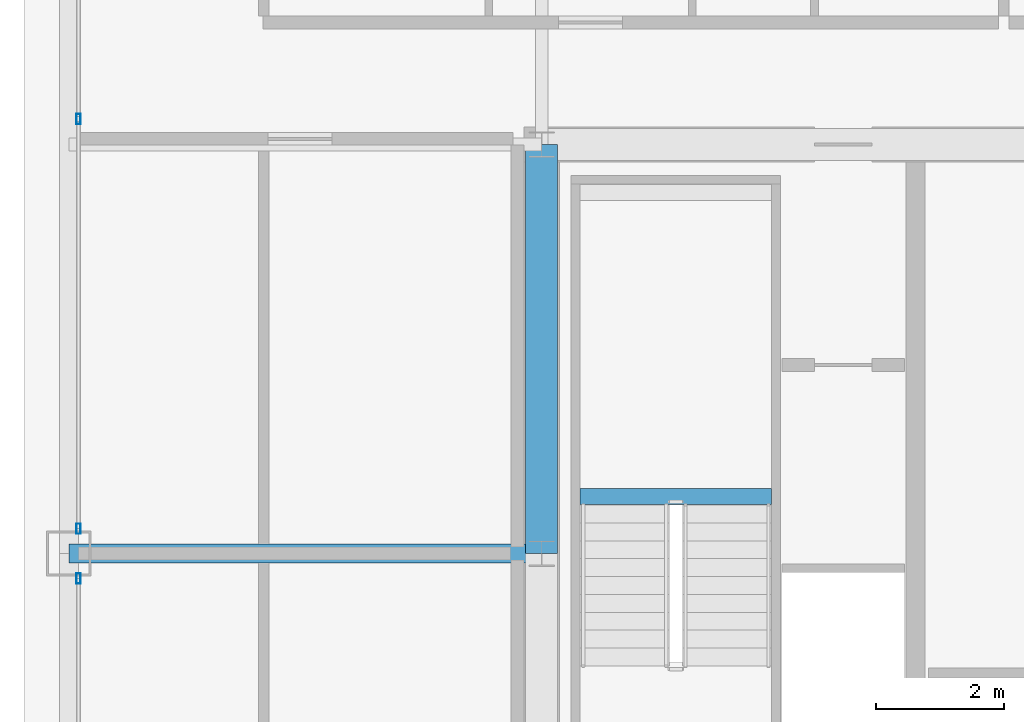
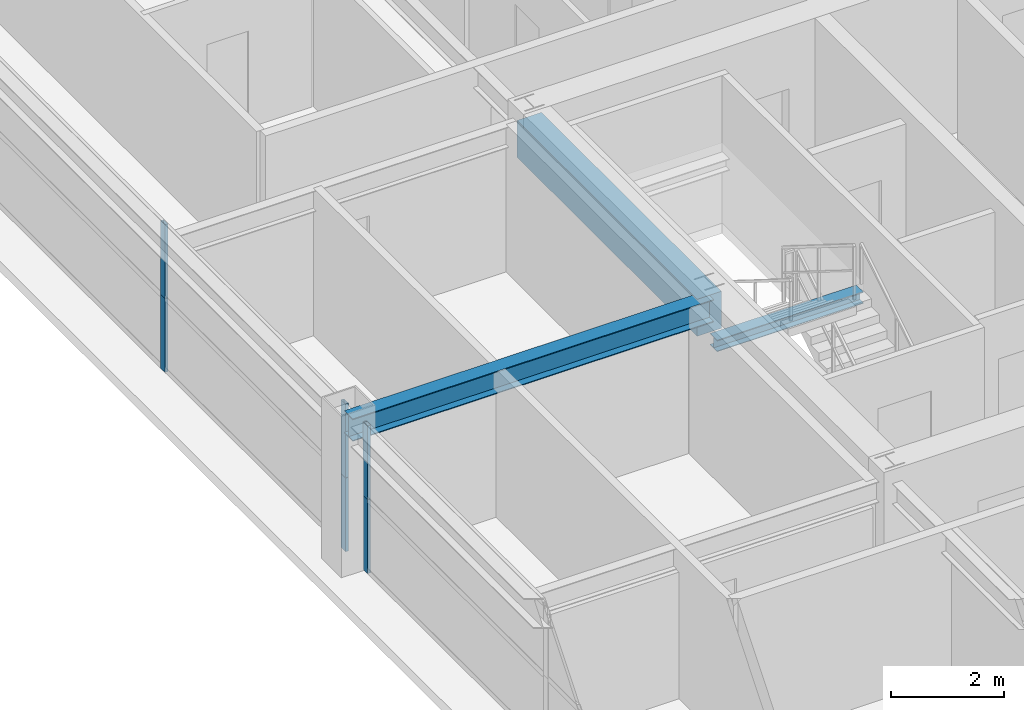
# One storey, part 12 of 36: 6 members, 3 beams, 2 elements without a shape of their own.
"""IFC4 building model written with IfcOpenShell, lengths in metres."""

from ifc_helpers import new_model, si_unit, direction, frame, origin, origin_2d, place, context, subcontext, project, spatial, rectangle, hollow_rectangle, i_section, extrude, source, transform, mapped, material, layer, layer_set, material_profile, profile_set, type_object, element, aggregate, save


model = new_model("IFC4")

# Units and contexts
model_context = context("Model", 3, precision=1e-05, world=origin(), true_north=direction((0.0, 1.0)))
body_context = subcontext(model_context, "Body", "Model", "MODEL_VIEW")
ifc_project = project(units=[si_unit("LENGTHUNIT", "METRE"), si_unit("AREAUNIT", "SQUARE_METRE"), si_unit("VOLUMEUNIT", "CUBIC_METRE"), si_unit("PLANEANGLEUNIT", "RADIAN"), si_unit("MASSUNIT", "GRAM", prefix="KILO"), si_unit("THERMODYNAMICTEMPERATUREUNIT", "KELVIN"), si_unit("POWERUNIT", "WATT")], contexts=[model_context])

# Site, building, storey
site_placement = place(None, origin())
site = spatial("IfcSite", under=ifc_project, at=site_placement, CompositionType="ELEMENT")
building_placement = place(site_placement, origin())
building = spatial("IfcBuilding", under=site, at=building_placement, Name="Yuzanri Waterfront Tower", CompositionType="ELEMENT")
storey_placement = place(building_placement, frame((0.0, 0.0, 255.60009765625)))
storey = spatial("IfcBuildingStorey", under=building, at=storey_placement, Name="L68", CompositionType="ELEMENT", Elevation=255.60009765625)

# Beams
ifc_material_1 = material(Name="Concrete C50", Category="concrete")
ifc_material_profile_1 = material_profile(ifc_material_1, rectangle(XDim=0.5, YDim=0.800048828125, at=origin_2d()), Name="RC 500x800")
ifc_profile_set_1 = profile_set([ifc_material_profile_1], Name="Concrete C50")
beam_type_1 = type_object("IfcBeamType", Name="Core Coupling Lintel Concrete C50 500x800", PredefinedType="LINTEL", material=ifc_profile_set_1)
shared_shape_1 = source(origin(), body_context, "Body", "SweptSolid", [
    extrude(rectangle(XDim=0.5, YDim=0.800048828125, at=origin_2d()), origin(), (0.0, 0.0, 1.0), 6.39990234375),
])
beam_1_placement = place(storey_placement, frame((23.800048828125, 25.800048828125, 2.7998046875), z_axis=(0.0, 1.0, 0.0), x_axis=(-1.0, 0.0, 0.0)))
element("IfcBeam", 1, at=beam_1_placement, inside=storey, type_object=beam_type_1, Name="L68 Core Tie Beam CW2", PredefinedType="LINTEL", context=body_context, shape_type="MappedRepresentation", body=[
    mapped(shared_shape_1, transform((0.0, 0.0, 0.0), scale=1.0)),
])
ifc_material_2 = material(Name="Steel Q355B", Category="steel")
ifc_material_profile_2 = material_profile(ifc_material_2, i_section(OverallWidth=0.300048828125, OverallDepth=0.488037109375, WebThickness=0.010986328125, FlangeThickness=0.01806640625, at=origin_2d()), Name="HM 488x300x11x18")
ifc_profile_set_2 = profile_set([ifc_material_profile_2], Name="Steel Q355B")
beam_type_2 = type_object("IfcBeamType", Name="Primary Floor Girder Q355B HM 488x300", PredefinedType="BEAM", material=ifc_profile_set_2)
shared_shape_2 = source(origin(), body_context, "Body", "SweptSolid", [
    extrude(i_section(OverallWidth=0.300048828125, OverallDepth=0.488037109375, WebThickness=0.010986328125, FlangeThickness=0.01806640625, at=origin_2d()), origin(), (0.0, 0.0, 1.0), 7.400146484375),
])
beam_2_placement = place(storey_placement, frame((23.800048828125, 25.800048828125, 2.955810546875), z_axis=(-1.0, 0.0, 0.0), x_axis=(0.0, -1.0, 0.0)))
element("IfcBeam", 2, at=beam_2_placement, inside=storey, type_object=beam_type_2, Name="L68 West Grid Girder", PredefinedType="BEAM", context=body_context, shape_type="MappedRepresentation", body=[
    mapped(shared_shape_2, transform((0.0, 0.0, 0.0), scale=1.0)),
])

# Curtain wall, member
ifc_material_3 = material(Name="Anodized Architectural Bronze", Category="metal")
ifc_layer = layer(ifc_material_3, 0.159912109375)
ifc_layer_set = layer_set([ifc_layer], Name="Anodized Architectural Bronze")
curtain_wall_type = type_object("IfcCurtainWallType", Name="Anodized Bronze Mid-Rise Residential Acoustic Unitized Curtain Wall 7200", PredefinedType="NOTDEFINED", material=ifc_layer_set)
curtain_wall_1_placement = place(storey_placement, origin())
curtain_wall_1 = element("IfcCurtainWall", 3, at=curtain_wall_1_placement, inside=storey, type_object=curtain_wall_type, Name="L68 Curtain Wall CW-L68-WL", PredefinedType="NOTDEFINED")
ifc_material_4 = material(Name="Anodized Architectural Bronze", Category="metal")
ifc_material_profile_3 = material_profile(ifc_material_4, hollow_rectangle(XDim=0.06494140625, YDim=0.159912109375, WallThickness=0.00341796875, at=origin_2d()), Name="CWM 65x160")
ifc_profile_set_3 = profile_set([ifc_material_profile_3], Name="Anodized Architectural Bronze")
member_type = type_object("IfcMemberType", Name="Anodized Bronze Upper-Zone Curtain-Wall Mullion 65x160", PredefinedType="MULLION", material=ifc_profile_set_3)
shared_shape_3 = source(origin(), body_context, "Body", "SweptSolid", [
    extrude(hollow_rectangle(XDim=0.06494140625, YDim=0.159912109375, WallThickness=0.00341796875, at=origin_2d()), origin(), (0.0, 0.0, 1.0), 1.597900390625),
])
member_1_placement = place(storey_placement, frame((16.550048828125, 25.409912109375, 0.0), z_axis=(0.0, 0.0, 1.0), x_axis=(1.0, 0.0, 0.0)))
member_1 = element("IfcMember", 4, at=member_1_placement, type_object=member_type, Name="CW-L68-WL Lower Mullion 02", PredefinedType="MULLION", context=body_context, shape_type="MappedRepresentation", body=[
    mapped(shared_shape_3, transform((0.0, 0.0, 0.0), scale=1.0)),
])

# Curtain wall, members
curtain_wall_2_placement = place(storey_placement, origin())
curtain_wall_2 = element("IfcCurtainWall", 5, at=curtain_wall_2_placement, inside=storey, type_object=curtain_wall_type, Name="L68 Curtain Wall CW-L68-WR", PredefinedType="NOTDEFINED")
member_2_placement = place(storey_placement, frame((16.550048828125, 26.18994140625, 0.0), z_axis=(0.0, 0.0, 1.0), x_axis=(1.0, 0.0, 0.0)))
member_2 = element("IfcMember", 6, at=member_2_placement, type_object=member_type, Name="CW-L68-WR Lower Mullion 00", PredefinedType="MULLION", context=body_context, shape_type="MappedRepresentation", body=[
    mapped(shared_shape_3, transform((0.0, 0.0, 0.0), scale=1.0)),
])
member_3_placement = place(storey_placement, frame((16.550048828125, 32.60009765625, 0.0), z_axis=(0.0, 0.0, 1.0), x_axis=(1.0, 0.0, 0.0)))
member_3 = element("IfcMember", 7, at=member_3_placement, type_object=member_type, Name="CW-L68-WR Lower Mullion 01", PredefinedType="MULLION", context=body_context, shape_type="MappedRepresentation", body=[
    mapped(shared_shape_3, transform((0.0, 0.0, 0.0), scale=1.0)),
])

# Member
shared_shape_4 = source(origin(), body_context, "Body", "SweptSolid", [
    extrude(hollow_rectangle(XDim=0.06494140625, YDim=0.159912109375, WallThickness=0.00341796875, at=origin_2d()), origin(), (0.0, 0.0, 1.0), 1.59814453125),
])
member_4_placement = place(storey_placement, frame((16.550048828125, 25.409912109375, 1.601806640625), z_axis=(0.0, 0.0, 1.0), x_axis=(1.0, 0.0, 0.0)))
member_4 = element("IfcMember", 8, at=member_4_placement, type_object=member_type, Name="CW-L68-WL Upper Mullion 02", PredefinedType="MULLION", context=body_context, shape_type="MappedRepresentation", body=[
    mapped(shared_shape_4, transform((0.0, 0.0, 0.0), scale=1.0)),
])

aggregate(curtain_wall_1, [member_1, member_4])

member_5_placement = place(storey_placement, frame((16.550048828125, 26.18994140625, 1.601806640625), z_axis=(0.0, 0.0, 1.0), x_axis=(1.0, 0.0, 0.0)))
member_5 = element("IfcMember", 9, at=member_5_placement, type_object=member_type, Name="CW-L68-WR Upper Mullion 00", PredefinedType="MULLION", context=body_context, shape_type="MappedRepresentation", body=[
    mapped(shared_shape_4, transform((0.0, 0.0, 0.0), scale=1.0)),
])

member_6_placement = place(storey_placement, frame((16.550048828125, 32.60009765625, 1.601806640625), z_axis=(0.0, 0.0, 1.0), x_axis=(1.0, 0.0, 0.0)))
member_6 = element("IfcMember", 10, at=member_6_placement, type_object=member_type, Name="CW-L68-WR Upper Mullion 01", PredefinedType="MULLION", context=body_context, shape_type="MappedRepresentation", body=[
    mapped(shared_shape_4, transform((0.0, 0.0, 0.0), scale=1.0)),
])

aggregate(curtain_wall_2, [member_2, member_5, member_3, member_6])

# Beam
ifc_material_5 = material(Name="Steel Q355B", Category="steel")
ifc_material_profile_4 = material_profile(ifc_material_5, i_section(OverallWidth=0.25, OverallDepth=0.25, WebThickness=0.009033203125, FlangeThickness=0.013916015625, at=origin_2d()), Name="HW 250x250x9x14")
ifc_profile_set_4 = profile_set([ifc_material_profile_4], Name="Steel Q355B")
beam_type_3 = type_object("IfcBeamType", Name="Stair Landing Support Beam Q355B HW 250x250", PredefinedType="BEAM", material=ifc_profile_set_4)
shared_shape_5 = source(origin(), body_context, "Body", "SweptSolid", [
    extrude(i_section(OverallWidth=0.25, OverallDepth=0.25, WebThickness=0.009033203125, FlangeThickness=0.013916015625, at=origin_2d()), origin(), (0.0, 0.0, 1.0), 3.0),
])
beam_3_placement = place(storey_placement, frame((24.39990234375, 26.68994140625, 1.4248046875), z_axis=(1.0, 0.0, 0.0), x_axis=(0.0, 1.0, 0.0)))
element("IfcBeam", 11, at=beam_3_placement, inside=storey, type_object=beam_type_3, Name="L68 Stair Landing Support Beam ST-01-L68-L1-1", PredefinedType="BEAM", context=body_context, shape_type="MappedRepresentation", body=[
    mapped(shared_shape_5, transform((0.0, 0.0, 0.0), scale=1.0)),
])

save(model, "model.ifc")
